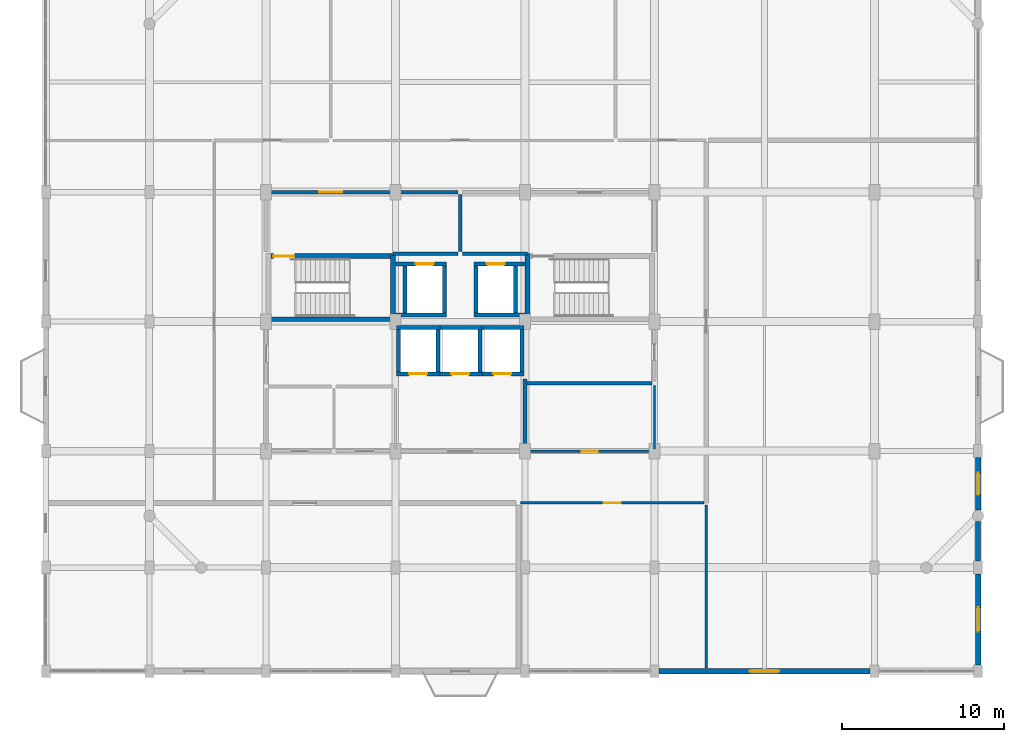
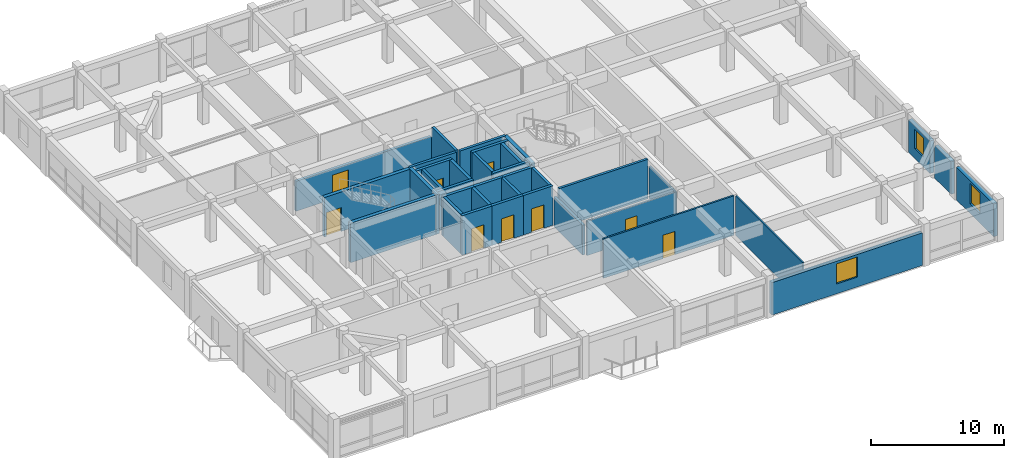
# One storey, part 12 of 15: 36 walls, 9 doors, 3 windows, 12 openings.
"""IFC4 building model written with IfcOpenShell, lengths in metres."""

from ifc_helpers import new_model, si_unit, direction, frame, frame_2d, origin, place, context, subcontext, project, spatial, rectangle, extrude, material, layer, layer_set, type_object, element, fill, save


model = new_model("IFC4")

# Units and contexts
model_context = context("Model", 3, precision=1e-05, world=origin(), true_north=direction((0.0, 1.0)))
body_context = subcontext(model_context, "Body", "Model", "MODEL_VIEW")
ifc_project = project(units=[si_unit("LENGTHUNIT", "METRE"), si_unit("AREAUNIT", "SQUARE_METRE"), si_unit("VOLUMEUNIT", "CUBIC_METRE"), si_unit("PLANEANGLEUNIT", "RADIAN"), si_unit("MASSUNIT", "GRAM", prefix="KILO")], contexts=[model_context])

# Site, building, storey
site_placement = place(None, origin())
site = spatial("IfcSite", under=ifc_project, at=site_placement, CompositionType="ELEMENT")
building_placement = place(site_placement, origin())
building = spatial("IfcBuilding", under=site, at=building_placement, Name="Vellmiral Cinema and Media Centre", CompositionType="ELEMENT")
storey_placement = place(building_placement, frame((0.0, 0.0, 35.60009765625)))
storey = spatial("IfcBuildingStorey", under=building, at=storey_placement, Name="L08", CompositionType="ELEMENT", Elevation=35.60009765625)

# Walls
ifc_material_1 = material(Name="Concrete C40/50", Category="concrete")
ifc_layer_1 = layer(ifc_material_1, 0.2099609375, Name="Concrete C40/50")
ifc_layer_set_1 = layer_set([ifc_layer_1], Name="Concrete C40/50")
wall_type_1 = type_object("IfcWallType", Name="WL-COMP-210", PredefinedType="SOLIDWALL", material=ifc_layer_set_1)
wall_1_placement = place(storey_placement, frame((140.139892578125, 83.39990234375, 0.0), z_axis=(0.0, 0.0, 1.0), x_axis=(1.0, 0.0, 0.0)))
element("IfcWall", 1, at=wall_1_placement, inside=storey, type_object=wall_type_1, Name="Mechanical Smoke Riser Room Wall S", PredefinedType="SOLIDWALL", context=body_context, shape_type="SweptSolid", body=[
    extrude(rectangle(XDim=7.72021484375, YDim=0.2099609375, at=frame_2d((3.860107421875, 0.0))), origin(), (0.0, 0.0, 1.0), 3.619873046875),
])
ifc_material_2 = material(Name="Concrete C40/50", Category="concrete")
ifc_layer_2 = layer(ifc_material_2, 0.300048828125, Name="Concrete C40/50")
ifc_layer_set_2 = layer_set([ifc_layer_2], Name="Concrete C40/50")
wall_type_2 = type_object("IfcWallType", Name="WL-CORE-300", PredefinedType="SHEAR", material=ifc_layer_set_2)
wall_2_placement = place(storey_placement, frame((131.85009765625, 87.199951171875, 0.0), z_axis=(0.0, 0.0, 1.0), x_axis=(0.0, 1.0, 0.0)))
element("IfcWall", 2, at=wall_2_placement, inside=storey, type_object=wall_type_2, Name="Stair Core Wall ST-T1 L08-E", PredefinedType="SHEAR", context=body_context, shape_type="SweptSolid", body=[
    extrude(rectangle(XDim=4.199951171875, YDim=0.300048828125, at=frame_2d((2.10009765625, 0.0))), origin(), (0.0, 0.0, 1.0), 3.619873046875),
])
wall_3_placement = place(storey_placement, frame((124.300048828125, 87.35009765625, 0.0), z_axis=(0.0, 0.0, 1.0), x_axis=(1.0, 0.0, 0.0)))
element("IfcWall", 3, at=wall_3_placement, inside=storey, type_object=wall_type_2, Name="Stair Core Wall ST-T1 L08-S", PredefinedType="SHEAR", context=body_context, shape_type="SweptSolid", body=[
    extrude(rectangle(XDim=7.39990234375, YDim=0.300048828125, at=frame_2d((3.699951171875, 0.0))), origin(), (0.0, 0.0, 1.0), 3.619873046875),
])

# Wall, opening, door
wall_4_placement = place(storey_placement, frame((124.300048828125, 91.25, 0.0), z_axis=(0.0, 0.0, 1.0), x_axis=(1.0, 0.0, 0.0)))
wall_4 = element("IfcWall", 4, at=wall_4_placement, inside=storey, type_object=wall_type_2, Name="Stair Core Wall ST-T1 L08-N", PredefinedType="SHEAR", context=body_context, shape_type="SweptSolid", body=[
    extrude(rectangle(XDim=7.39990234375, YDim=0.300048828125, at=frame_2d((3.699951171875, 0.0))), origin(), (0.0, 0.0, 1.0), 3.619873046875),
])
opening_1_placement = place(wall_4_placement, frame((0.159912109375, 0.0, 0.0)))
opening_1 = element("IfcOpeningElement", 5, at=opening_1_placement, cuts=wall_4, Name="Opening D-FD30A", PredefinedType="OPENING", context=body_context, shape_type="SweptSolid", body=[
    extrude(rectangle(XDim=1.300048828125, YDim=2.179931640625, at=frame_2d((0.64990234375, 1.08984375))), frame((0.0, 0.162109375, 0.0), z_axis=(0.0, -1.0, 0.0), x_axis=(1.0, 0.0, 0.0)), (0.0, 0.0, 1.0), 0.323974609375),
])
ifc_material_3 = material(Name="Steel Stair Fire Door", Category="steel")
door_type_1 = type_object("IfcDoorType", Name="DR-FD30-1300x2180", OperationType="NOTDEFINED", PredefinedType="DOOR", material=ifc_material_3)
door_1_placement = place(opening_1_placement, frame((1.300048828125, 0.0, 0.0), z_axis=(0.0, 0.0, 1.0), x_axis=(-1.0, 0.0, 0.0)))
door_1 = element("IfcDoor", 6, at=door_1_placement, inside=storey, type_object=door_type_1, Name="Protected Stair Door ST-T1 L08", OperationType="SINGLE_SWING_RIGHT", OverallHeight=2.179931640625, OverallWidth=1.300048828125, PredefinedType="DOOR", context=body_context, shape_type="SweptSolid", body=[
    extrude(rectangle(XDim=1.300048828125, YDim=2.179931640625, at=frame_2d((0.64990234375, 1.08984375))), frame((0.0, 0.02490234375, 0.0), z_axis=(0.0, -1.0, 0.0), x_axis=(1.0, 0.0, 0.0)), (0.0, 0.0, 1.0), 0.050048828125),
])
fill(opening_1, door_1)

# Walls
wall_5_placement = place(storey_placement, frame((140.14990234375, 87.199951171875, 0.0), z_axis=(0.0, 0.0, 1.0), x_axis=(0.0, 1.0, 0.0)))
element("IfcWall", 7, at=wall_5_placement, inside=storey, type_object=wall_type_2, Name="Stair Core Wall ST-T2 L08-W", PredefinedType="SHEAR", context=body_context, shape_type="SweptSolid", body=[
    extrude(rectangle(XDim=4.199951171875, YDim=0.300048828125, at=frame_2d((2.10009765625, 0.0))), origin(), (0.0, 0.0, 1.0), 3.619873046875),
])
ifc_material_4 = material(Name="Polychrome Glazed Ceramic Cladding", Category="masonry")
ifc_layer_3 = layer(ifc_material_4, 0.320068359375, Name="Polychrome Glazed Ceramic Cladding")
ifc_layer_set_3 = layer_set([ifc_layer_3], Name="Polychrome Glazed Ceramic Cladding")
wall_type_3 = type_object("IfcWallType", Name="WL-EXT-BRICK-320", PredefinedType="SOLIDWALL", material=ifc_layer_set_3)
wall_6_placement = place(storey_placement, frame((168.0, 72.39990234375, 0.0), z_axis=(0.0, 0.0, 1.0), x_axis=(0.0, 1.0, 0.0)))
element("IfcWall", 8, at=wall_6_placement, inside=storey, type_object=wall_type_3, Name="Exterior Facade Wall L08-009", PredefinedType="SOLIDWALL", context=body_context, shape_type="SweptSolid", body=[
    extrude(rectangle(XDim=2.4501953125, YDim=0.320068359375, at=frame_2d((1.22509765625, 0.0))), origin(), (0.0, 0.0, 1.0), 2.98486328125),
])

# Wall, opening, window
ifc_material_5 = material(Name="Vosges Red Sandstone Masonry", Category="masonry")
ifc_layer_4 = layer(ifc_material_5, 0.340087890625, Name="Vosges Red Sandstone Masonry")
ifc_layer_set_4 = layer_set([ifc_layer_4], Name="Vosges Red Sandstone Masonry")
wall_type_4 = type_object("IfcWallType", Name="WL-EXT-SAND-340", PredefinedType="SOLIDWALL", material=ifc_layer_set_4)
wall_7_placement = place(storey_placement, frame((148.27490234375, 65.60009765625, 0.0), z_axis=(0.0, 0.0, 1.0), x_axis=(1.0, 0.0, 0.0)))
wall_7 = element("IfcWall", 9, at=wall_7_placement, inside=storey, type_object=wall_type_4, Name="Exterior Facade Wall L08-006", PredefinedType="SOLIDWALL", context=body_context, shape_type="SweptSolid", body=[
    extrude(rectangle(XDim=13.050048828125, YDim=0.340087890625, at=frame_2d((6.52490234375, 0.0))), origin(), (0.0, 0.0, 1.0), 2.98486328125),
])
opening_2_placement = place(wall_7_placement, frame((5.625, 0.0, 0.89990234375)))
opening_2 = element("IfcOpeningElement", 10, at=opening_2_placement, cuts=wall_7, Name="Opening WN-04", PredefinedType="OPENING", context=body_context, shape_type="SweptSolid", body=[
    extrude(rectangle(XDim=1.800048828125, YDim=1.85009765625, at=frame_2d((0.89990234375, 0.925048828125))), frame((0.0, 0.18212890625, 0.0), z_axis=(0.0, -1.0, 0.0), x_axis=(1.0, 0.0, 0.0)), (0.0, 0.0, 1.0), 0.364013671875),
])
ifc_material_6 = material(Name="Thermally Broken Aluminium Triple Glazing", Category="aluminium")
window_type_1 = type_object("IfcWindowType", Name="WN-1800x1850", PartitioningType="DOUBLE_PANEL_VERTICAL", PredefinedType="WINDOW", material=ifc_material_6)
window_1_placement = place(opening_2_placement, origin())
window_1 = element("IfcWindow", 11, at=window_1_placement, inside=storey, type_object=window_type_1, Name="Window L08-006", OverallHeight=1.85009765625, OverallWidth=1.800048828125, PartitioningType="DOUBLE_PANEL_VERTICAL", PredefinedType="WINDOW", context=body_context, shape_type="SweptSolid", body=[
    extrude(rectangle(XDim=1.800048828125, YDim=1.85009765625, at=frame_2d((0.89990234375, 0.925048828125))), frame((0.0, 0.030029296875, 0.0), z_axis=(0.0, -1.0, 0.0), x_axis=(1.0, 0.0, 0.0)), (0.0, 0.0, 1.0), 0.06005859375),
])
fill(opening_2, window_1)

wall_8_placement = place(storey_placement, frame((168.0, 66.0, 0.0), z_axis=(0.0, 0.0, 1.0), x_axis=(0.0, 1.0, 0.0)))
wall_8 = element("IfcWall", 12, at=wall_8_placement, inside=storey, type_object=wall_type_4, Name="Exterior Facade Wall L08-008", PredefinedType="SOLIDWALL", context=body_context, shape_type="SweptSolid", body=[
    extrude(rectangle(XDim=5.60009765625, YDim=0.340087890625, at=frame_2d((2.800048828125, 0.0))), origin(), (0.0, 0.0, 1.0), 3.0),
])
opening_3_placement = place(wall_8_placement, frame((2.050048828125, 0.0, 0.89990234375)))
opening_3 = element("IfcOpeningElement", 13, at=opening_3_placement, cuts=wall_8, Name="Opening WN-06", PredefinedType="OPENING", context=body_context, shape_type="SweptSolid", body=[
    extrude(rectangle(XDim=1.5, YDim=1.85009765625, at=frame_2d((0.75, 0.925048828125))), frame((0.0, 0.18212890625, 0.0), z_axis=(0.0, -1.0, 0.0), x_axis=(1.0, 0.0, 0.0)), (0.0, 0.0, 1.0), 0.364013671875),
])
ifc_material_7 = material(Name="Thermally Broken Aluminium Triple Glazing", Category="aluminium")
window_type_2 = type_object("IfcWindowType", Name="WN-1500x1850", PartitioningType="SINGLE_PANEL", PredefinedType="WINDOW", material=ifc_material_7)
window_2_placement = place(opening_3_placement, origin())
window_2 = element("IfcWindow", 14, at=window_2_placement, inside=storey, type_object=window_type_2, Name="Window L08-008", OverallHeight=1.85009765625, OverallWidth=1.5, PartitioningType="SINGLE_PANEL", PredefinedType="WINDOW", context=body_context, shape_type="SweptSolid", body=[
    extrude(rectangle(XDim=1.5, YDim=1.85009765625, at=frame_2d((0.75, 0.925048828125))), frame((0.0, 0.030029296875, 0.0), z_axis=(0.0, -1.0, 0.0), x_axis=(1.0, 0.0, 0.0)), (0.0, 0.0, 1.0), 0.06005859375),
])
fill(opening_3, window_2)

wall_9_placement = place(storey_placement, frame((168.0, 75.550048828125, 0.0), z_axis=(0.0, 0.0, 1.0), x_axis=(0.0, 1.0, 0.0)))
wall_9 = element("IfcWall", 15, at=wall_9_placement, inside=storey, type_object=wall_type_4, Name="Exterior Facade Wall L08-010", PredefinedType="SOLIDWALL", context=body_context, shape_type="SweptSolid", body=[
    extrude(rectangle(XDim=3.25, YDim=0.340087890625, at=frame_2d((1.625, 0.0))), origin(), (0.0, 0.0, 1.0), 2.98486328125),
])
opening_4_placement = place(wall_9_placement, frame((0.949951171875, 0.0, 0.89990234375)))
opening_4 = element("IfcOpeningElement", 16, at=opening_4_placement, cuts=wall_9, Name="Opening WN-08", PredefinedType="OPENING", context=body_context, shape_type="SweptSolid", body=[
    extrude(rectangle(XDim=1.35009765625, YDim=1.75, at=frame_2d((0.675048828125, 0.875))), frame((0.0, 0.18212890625, 0.0), z_axis=(0.0, -1.0, 0.0), x_axis=(1.0, 0.0, 0.0)), (0.0, 0.0, 1.0), 0.364013671875),
])
ifc_material_8 = material(Name="Thermally Broken Aluminium Triple Glazing", Category="aluminium")
window_type_3 = type_object("IfcWindowType", Name="WN-1350x1750", PartitioningType="SINGLE_PANEL", PredefinedType="WINDOW", material=ifc_material_8)
window_3_placement = place(opening_4_placement, origin())
window_3 = element("IfcWindow", 17, at=window_3_placement, inside=storey, type_object=window_type_3, Name="Window L08-010", OverallHeight=1.75, OverallWidth=1.35009765625, PartitioningType="SINGLE_PANEL", PredefinedType="WINDOW", context=body_context, shape_type="SweptSolid", body=[
    extrude(rectangle(XDim=1.35009765625, YDim=1.75, at=frame_2d((0.675048828125, 0.875))), frame((0.0, 0.030029296875, 0.0), z_axis=(0.0, -1.0, 0.0), x_axis=(1.0, 0.0, 0.0)), (0.0, 0.0, 1.0), 0.06005859375),
])
fill(opening_4, window_3)

# Wall
ifc_material_9 = material(Name="Concrete C40/50", Category="concrete")
ifc_layer_5 = layer(ifc_material_9, 0.22998046875, Name="Concrete C40/50")
ifc_layer_set_5 = layer_set([ifc_layer_5], Name="Concrete C40/50")
wall_type_5 = type_object("IfcWallType", Name="WL-FFL-230", PredefinedType="SOLIDWALL", material=ifc_layer_set_5)
wall_10_placement = place(storey_placement, frame((131.840087890625, 91.39990234375, 0.0), z_axis=(0.0, 0.0, 1.0), x_axis=(1.0, 0.0, 0.0)))
element("IfcWall", 18, at=wall_10_placement, inside=storey, type_object=wall_type_5, Name="Firefighting Lobby West Wall S", PredefinedType="SOLIDWALL", context=body_context, shape_type="SweptSolid", body=[
    extrude(rectangle(XDim=4.02001953125, YDim=0.22998046875, at=frame_2d((2.010009765625, 0.0))), origin(), (0.0, 0.0, 1.0), 3.619873046875),
])

# Wall, opening, door
wall_11_placement = place(storey_placement, frame((124.139892578125, 95.199951171875, 0.0), z_axis=(0.0, 0.0, 1.0), x_axis=(1.0, 0.0, 0.0)))
wall_11 = element("IfcWall", 19, at=wall_11_placement, inside=storey, type_object=wall_type_5, Name="Firefighting Lobby West Wall N", PredefinedType="SOLIDWALL", context=body_context, shape_type="SweptSolid", body=[
    extrude(rectangle(XDim=11.72021484375, YDim=0.22998046875, at=frame_2d((5.860107421875, 0.0))), origin(), (0.0, 0.0, 1.0), 2.744873046875),
])
opening_5_placement = place(wall_11_placement, frame((3.159912109375, 0.0, 0.0)))
opening_5 = element("IfcOpeningElement", 20, at=opening_5_placement, cuts=wall_11, Name="Opening D-FD60B", PredefinedType="OPENING", context=body_context, shape_type="SweptSolid", body=[
    extrude(rectangle(XDim=1.39990234375, YDim=2.199951171875, at=frame_2d((0.699951171875, 1.10009765625))), frame((0.0, 0.126953125, 0.0), z_axis=(0.0, -1.0, 0.0), x_axis=(1.0, 0.0, 0.0)), (0.0, 0.0, 1.0), 0.25390625),
])
ifc_material_10 = material(Name="Steel Fire Door", Category="steel")
door_type_2 = type_object("IfcDoorType", Name="DR-FD60-1400x2200", OperationType="NOTDEFINED", PredefinedType="DOOR", material=ifc_material_10)
door_2_placement = place(opening_5_placement, frame((1.39990234375, 0.0, 0.0), z_axis=(0.0, 0.0, 1.0), x_axis=(-1.0, 0.0, 0.0)))
door_2 = element("IfcDoor", 21, at=door_2_placement, inside=storey, type_object=door_type_2, Name="Firefighting Lobby West Door", OperationType="SINGLE_SWING_RIGHT", OverallHeight=2.199951171875, OverallWidth=1.39990234375, PredefinedType="DOOR", context=body_context, shape_type="SweptSolid", body=[
    extrude(rectangle(XDim=1.39990234375, YDim=2.199951171875, at=frame_2d((0.699951171875, 1.10009765625))), frame((0.0, 0.02490234375, 0.0), z_axis=(0.0, -1.0, 0.0), x_axis=(1.0, 0.0, 0.0)), (0.0, 0.0, 1.0), 0.050048828125),
])
fill(opening_5, door_2)

# Walls
wall_12_placement = place(storey_placement, frame((136.0, 91.5400390625, 0.0), z_axis=(0.0, 0.0, 1.0), x_axis=(0.0, 1.0, 0.0)))
element("IfcWall", 22, at=wall_12_placement, inside=storey, type_object=wall_type_5, Name="Firefighting Lobby West Wall E", PredefinedType="SOLIDWALL", context=body_context, shape_type="SweptSolid", body=[
    extrude(rectangle(XDim=3.52001953125, YDim=0.22998046875, at=frame_2d((1.760009765625, 0.0))), origin(), (0.0, 0.0, 1.0), 3.619873046875),
])
wall_13_placement = place(storey_placement, frame((136.139892578125, 91.39990234375, 0.0), z_axis=(0.0, 0.0, 1.0), x_axis=(1.0, 0.0, 0.0)))
element("IfcWall", 23, at=wall_13_placement, inside=storey, type_object=wall_type_5, Name="Firefighting Lobby East Wall S", PredefinedType="SOLIDWALL", context=body_context, shape_type="SweptSolid", body=[
    extrude(rectangle(XDim=4.02001953125, YDim=0.22998046875, at=frame_2d((2.010009765625, 0.0))), origin(), (0.0, 0.0, 1.0), 3.619873046875),
])
wall_14_placement = place(storey_placement, frame((140.0, 79.340087890625, 0.0), z_axis=(0.0, 0.0, 1.0), x_axis=(0.0, 1.0, 0.0)))
element("IfcWall", 24, at=wall_14_placement, inside=storey, type_object=wall_type_5, Name="Tower Passenger Lift Lobby Wall E", PredefinedType="SOLIDWALL", context=body_context, shape_type="SweptSolid", body=[
    extrude(rectangle(XDim=4.31982421875, YDim=0.22998046875, at=frame_2d((2.159912109375, 0.0))), origin(), (0.0, 0.0, 1.0), 2.744873046875),
])
ifc_material_11 = material(Name="Gypsum Plasterboard")
ifc_layer_6 = layer(ifc_material_11, 0.02490234375, Name="Gypsum Plasterboard", Category="gypsum")
ifc_material_12 = material(Name="Mineral Wool Acoustic Insulation", Category="insulation")
ifc_layer_7 = layer(ifc_material_12, 0.080078125, Name="Mineral Wool Acoustic Insulation", Category="insulation")
ifc_layer_8 = layer(ifc_material_11, 0.02490234375, Name="Gypsum Plasterboard", Category="gypsum")
ifc_layer_set_6 = layer_set([ifc_layer_6, ifc_layer_7, ifc_layer_8], Name="Gypsum Plasterboard")
wall_type_6 = type_object("IfcWallType", Name="WL-PART-130", PredefinedType="PARTITIONING", material=ifc_layer_set_6)
wall_15_placement = place(storey_placement, frame((148.0, 79.340087890625, 0.0), z_axis=(0.0, 0.0, 1.0), x_axis=(0.0, 1.0, 0.0)))
element("IfcWall", 25, at=wall_15_placement, inside=storey, type_object=wall_type_6, Name="Cleaner and Media Supply Store Wall E", PredefinedType="PARTITIONING", context=body_context, shape_type="SweptSolid", body=[
    extrude(rectangle(XDim=3.919921875, YDim=0.1298828125, at=frame_2d((1.9599609375, 0.0))), origin(), (0.0, 0.0, 1.0), 2.994873046875),
])
wall_16_placement = place(storey_placement, frame((151.199951171875, 65.784912109375, 0.0), z_axis=(0.0, 0.0, 1.0), x_axis=(0.0, 1.0, 0.0)))
element("IfcWall", 26, at=wall_16_placement, inside=storey, type_object=wall_type_6, Name="Post-Production Review Suite Wall E", PredefinedType="PARTITIONING", context=body_context, shape_type="SweptSolid", body=[
    extrude(rectangle(XDim=10.0751953125, YDim=0.1298828125, at=frame_2d((5.03759765625, 0.0))), origin(), (0.0, 0.0, 1.0), 3.619873046875),
])

# Wall, opening, door
ifc_material_13 = material(Name="Gypsum Plasterboard")
ifc_layer_9 = layer(ifc_material_13, 0.02490234375, Name="Gypsum Plasterboard", Category="gypsum")
ifc_material_14 = material(Name="Mineral Wool Acoustic Insulation", Category="insulation")
ifc_layer_10 = layer(ifc_material_14, 0.10009765625, Name="Mineral Wool Acoustic Insulation", Category="insulation")
ifc_layer_11 = layer(ifc_material_13, 0.02490234375, Name="Gypsum Plasterboard", Category="gypsum")
ifc_layer_set_7 = layer_set([ifc_layer_9, ifc_layer_10, ifc_layer_11], Name="Gypsum Plasterboard")
wall_type_7 = type_object("IfcWallType", Name="WL-PART-150", PredefinedType="PARTITIONING", material=ifc_layer_set_7)
wall_17_placement = place(storey_placement, frame((140.139892578125, 79.199951171875, 0.0), z_axis=(0.0, 0.0, 1.0), x_axis=(1.0, 0.0, 0.0)))
wall_17 = element("IfcWall", 27, at=wall_17_placement, inside=storey, type_object=wall_type_7, Name="Cleaner and Media Supply Store Wall S", PredefinedType="PARTITIONING", context=body_context, shape_type="SweptSolid", body=[
    extrude(rectangle(XDim=7.72021484375, YDim=0.14990234375, at=frame_2d((3.860107421875, 0.0))), origin(), (0.0, 0.0, 1.0), 3.14501953125),
])
opening_6_placement = place(wall_17_placement, frame((3.360107421875, 0.0, 0.0)))
opening_6 = element("IfcOpeningElement", 28, at=opening_6_placement, cuts=wall_17, Name="Opening D-I08", PredefinedType="OPENING", context=body_context, shape_type="SweptSolid", body=[
    extrude(rectangle(XDim=1.0, YDim=2.14990234375, at=frame_2d((0.5, 1.074951171875))), frame((0.0, 0.0869140625, 0.0), z_axis=(0.0, -1.0, 0.0), x_axis=(1.0, 0.0, 0.0)), (0.0, 0.0, 1.0), 0.173828125),
])
ifc_material_15 = material(Name="Laminated Timber Door", Category="wood")
door_type_3 = type_object("IfcDoorType", Name="DR-INT-1000x2150", OperationType="NOTDEFINED", PredefinedType="DOOR", material=ifc_material_15)
door_3_placement = place(opening_6_placement, origin())
door_3 = element("IfcDoor", 29, at=door_3_placement, inside=storey, type_object=door_type_3, Name="Cleaner and Media Supply Store Door", OperationType="SINGLE_SWING_RIGHT", OverallHeight=2.14990234375, OverallWidth=1.0, PredefinedType="DOOR", context=body_context, shape_type="SweptSolid", body=[
    extrude(rectangle(XDim=1.0, YDim=2.14990234375, at=frame_2d((0.5, 1.074951171875))), frame((0.0, 0.02490234375, 0.0), z_axis=(0.0, -1.0, 0.0), x_axis=(1.0, 0.0, 0.0)), (0.0, 0.0, 1.0), 0.050048828125),
])
fill(opening_6, door_3)

wall_18_placement = place(storey_placement, frame((139.739990234375, 76.0, 0.0), z_axis=(0.0, 0.0, 1.0), x_axis=(1.0, 0.0, 0.0)))
wall_18 = element("IfcWall", 30, at=wall_18_placement, inside=storey, type_object=wall_type_7, Name="Post-Production Review Suite Wall N", PredefinedType="PARTITIONING", context=body_context, shape_type="SweptSolid", body=[
    extrude(rectangle(XDim=11.320068359375, YDim=0.14990234375, at=frame_2d((5.66015625, 0.0))), origin(), (0.0, 0.0, 1.0), 3.619873046875),
])
opening_7_placement = place(wall_18_placement, frame((5.135009765625, 0.0, 0.0)))
opening_7 = element("IfcOpeningElement", 31, at=opening_7_placement, cuts=wall_18, Name="Opening D-I07", PredefinedType="OPENING", context=body_context, shape_type="SweptSolid", body=[
    extrude(rectangle(XDim=1.050048828125, YDim=2.14990234375, at=frame_2d((0.52490234375, 1.074951171875))), frame((0.0, 0.0869140625, 0.0), z_axis=(0.0, -1.0, 0.0), x_axis=(1.0, 0.0, 0.0)), (0.0, 0.0, 1.0), 0.173828125),
])
ifc_material_16 = material(Name="Laminated Timber Door", Category="wood")
door_type_4 = type_object("IfcDoorType", Name="DR-INT-1050x2150", OperationType="NOTDEFINED", PredefinedType="DOOR", material=ifc_material_16)
door_4_placement = place(opening_7_placement, frame((1.050048828125, 0.0, 0.0), z_axis=(0.0, 0.0, 1.0), x_axis=(-1.0, 0.0, 0.0)))
door_4 = element("IfcDoor", 32, at=door_4_placement, inside=storey, type_object=door_type_4, Name="Post-Production Review Suite Door", OperationType="SINGLE_SWING_RIGHT", OverallHeight=2.14990234375, OverallWidth=1.050048828125, PredefinedType="DOOR", context=body_context, shape_type="SweptSolid", body=[
    extrude(rectangle(XDim=1.050048828125, YDim=2.14990234375, at=frame_2d((0.52490234375, 1.074951171875))), frame((0.0, 0.02490234375, 0.0), z_axis=(0.0, -1.0, 0.0), x_axis=(1.0, 0.0, 0.0)), (0.0, 0.0, 1.0), 0.050048828125),
])
fill(opening_7, door_4)

# Wall
ifc_material_17 = material(Name="Concrete C40/50", Category="concrete")
ifc_layer_12 = layer(ifc_material_17, 0.25, Name="Concrete C40/50")
ifc_layer_set_8 = layer_set([ifc_layer_12], Name="Concrete C40/50")
wall_type_8 = type_object("IfcWallType", Name="WL-SHAFT-250", PredefinedType="SHEAR", material=ifc_layer_set_8)
wall_19_placement = place(storey_placement, frame((132.0, 87.625, 0.0), z_axis=(0.0, 0.0, 1.0), x_axis=(1.0, 0.0, 0.0)))
element("IfcWall", 33, at=wall_19_placement, inside=storey, type_object=wall_type_8, Name="Lift Shaft Wall LF-FF1 L08-S", PredefinedType="SHEAR", context=body_context, shape_type="SweptSolid", body=[
    extrude(rectangle(XDim=3.14990234375, YDim=0.25, at=frame_2d((1.574951171875, 0.0))), origin(), (0.0, 0.0, 1.0), 3.619873046875),
])

# Wall, opening, door
wall_20_placement = place(storey_placement, frame((132.0, 90.77490234375, 0.0), z_axis=(0.0, 0.0, 1.0), x_axis=(1.0, 0.0, 0.0)))
wall_20 = element("IfcWall", 34, at=wall_20_placement, inside=storey, type_object=wall_type_8, Name="Lift Shaft Wall LF-FF1 L08-N", PredefinedType="SHEAR", context=body_context, shape_type="SweptSolid", body=[
    extrude(rectangle(XDim=3.14990234375, YDim=0.25, at=frame_2d((1.574951171875, 0.0))), origin(), (0.0, 0.0, 1.0), 3.619873046875),
])
opening_8_placement = place(wall_20_placement, frame((1.25, 0.0, 0.0)))
opening_8 = element("IfcOpeningElement", 35, at=opening_8_placement, cuts=wall_20, Name="Opening LD-01", PredefinedType="OPENING", context=body_context, shape_type="SweptSolid", body=[
    extrude(rectangle(XDim=1.10009765625, YDim=2.14990234375, at=frame_2d((0.550048828125, 1.074951171875))), frame((0.0, 0.136962890625, 0.0), z_axis=(0.0, -1.0, 0.0), x_axis=(1.0, 0.0, 0.0)), (0.0, 0.0, 1.0), 0.27392578125),
])
ifc_material_18 = material(Name="Stainless Steel Lift Landing Door", Category="steel")
door_type_5 = type_object("IfcDoorType", Name="DR-LIFT-1100x2150", OperationType="SLIDING_TO_LEFT", PredefinedType="DOOR", material=ifc_material_18)
door_5_placement = place(opening_8_placement, origin())
door_5 = element("IfcDoor", 36, at=door_5_placement, inside=storey, type_object=door_type_5, Name="Lift Landing Door LF-FF1 L08", OperationType="SLIDING_TO_LEFT", OverallHeight=2.14990234375, OverallWidth=1.10009765625, PredefinedType="DOOR", context=body_context, shape_type="SweptSolid", body=[
    extrude(rectangle(XDim=1.10009765625, YDim=2.14990234375, at=frame_2d((0.550048828125, 1.074951171875))), frame((0.0, 0.02490234375, 0.0), z_axis=(0.0, -1.0, 0.0), x_axis=(1.0, 0.0, 0.0)), (0.0, 0.0, 1.0), 0.050048828125),
])
fill(opening_8, door_5)

# Walls
for number, where, z_axis, x_axis, name in (
    (37, (132.574951171875, 87.75, 0.0), (0.0, 0.0, 1.0), (0.0, 1.0, 0.0), "Lift Shaft Wall LF-FF1 L08-W"),
    (38, (135.02490234375, 87.75, 0.0), (0.0, 0.0, 1.0), (0.0, 1.0, 0.0), "Lift Shaft Wall LF-FF1 L08-E"),
):
    element("IfcWall", number, at=place(storey_placement, frame(where, z_axis=z_axis, x_axis=x_axis)), inside=storey, type_object=wall_type_8, Name=name, PredefinedType="SHEAR", context=body_context, shape_type="SweptSolid", body=[
        extrude(rectangle(XDim=2.89990234375, YDim=0.25, at=frame_2d((1.449951171875, 0.0))), origin(), (0.0, 0.0, 1.0), 3.619873046875),
    ])
wall_21_placement = place(storey_placement, frame((136.85009765625, 87.625, 0.0), z_axis=(0.0, 0.0, 1.0), x_axis=(1.0, 0.0, 0.0)))
element("IfcWall", 39, at=wall_21_placement, inside=storey, type_object=wall_type_8, Name="Lift Shaft Wall LF-FF2 L08-S", PredefinedType="SHEAR", context=body_context, shape_type="SweptSolid", body=[
    extrude(rectangle(XDim=3.14990234375, YDim=0.25, at=frame_2d((1.574951171875, 0.0))), origin(), (0.0, 0.0, 1.0), 3.619873046875),
])

# Wall, opening, door
wall_22_placement = place(storey_placement, frame((136.85009765625, 90.77490234375, 0.0), z_axis=(0.0, 0.0, 1.0), x_axis=(1.0, 0.0, 0.0)))
wall_22 = element("IfcWall", 40, at=wall_22_placement, inside=storey, type_object=wall_type_8, Name="Lift Shaft Wall LF-FF2 L08-N", PredefinedType="SHEAR", context=body_context, shape_type="SweptSolid", body=[
    extrude(rectangle(XDim=3.14990234375, YDim=0.25, at=frame_2d((1.574951171875, 0.0))), origin(), (0.0, 0.0, 1.0), 3.619873046875),
])
opening_9_placement = place(wall_22_placement, frame((0.800048828125, 0.0, 0.0)))
opening_9 = element("IfcOpeningElement", 41, at=opening_9_placement, cuts=wall_22, Name="Opening LD-01", PredefinedType="OPENING", context=body_context, shape_type="SweptSolid", body=[
    extrude(rectangle(XDim=1.10009765625, YDim=2.14990234375, at=frame_2d((0.550048828125, 1.074951171875))), frame((0.0, 0.136962890625, 0.0), z_axis=(0.0, -1.0, 0.0), x_axis=(1.0, 0.0, 0.0)), (0.0, 0.0, 1.0), 0.27392578125),
])
door_6_placement = place(opening_9_placement, origin())
door_6 = element("IfcDoor", 42, at=door_6_placement, inside=storey, type_object=door_type_5, Name="Lift Landing Door LF-FF2 L08", OperationType="SLIDING_TO_LEFT", OverallHeight=2.14990234375, OverallWidth=1.10009765625, PredefinedType="DOOR", context=body_context, shape_type="SweptSolid", body=[
    extrude(rectangle(XDim=1.10009765625, YDim=2.14990234375, at=frame_2d((0.550048828125, 1.074951171875))), frame((0.0, 0.02490234375, 0.0), z_axis=(0.0, -1.0, 0.0), x_axis=(1.0, 0.0, 0.0)), (0.0, 0.0, 1.0), 0.050048828125),
])
fill(opening_9, door_6)

# Walls
for number, where, z_axis, x_axis, name in (
    (43, (136.97509765625, 87.75, 0.0), (0.0, 0.0, 1.0), (0.0, 1.0, 0.0), "Lift Shaft Wall LF-FF2 L08-W"),
    (44, (139.425048828125, 87.75, 0.0), (0.0, 0.0, 1.0), (0.0, 1.0, 0.0), "Lift Shaft Wall LF-FF2 L08-E"),
):
    element("IfcWall", number, at=place(storey_placement, frame(where, z_axis=z_axis, x_axis=x_axis)), inside=storey, type_object=wall_type_8, Name=name, PredefinedType="SHEAR", context=body_context, shape_type="SweptSolid", body=[
        extrude(rectangle(XDim=2.89990234375, YDim=0.25, at=frame_2d((1.449951171875, 0.0))), origin(), (0.0, 0.0, 1.0), 3.619873046875),
    ])

# Wall, opening, door
wall_23_placement = place(storey_placement, frame((132.050048828125, 83.97509765625, 0.0), z_axis=(0.0, 0.0, 1.0), x_axis=(1.0, 0.0, 0.0)))
wall_23 = element("IfcWall", 45, at=wall_23_placement, inside=storey, type_object=wall_type_8, Name="Lift Shaft Wall LF-P1 L08-S", PredefinedType="SHEAR", context=body_context, shape_type="SweptSolid", body=[
    extrude(rectangle(XDim=2.699951171875, YDim=0.25, at=frame_2d((1.35009765625, 0.0))), origin(), (0.0, 0.0, 1.0), 3.619873046875),
])
opening_10_placement = place(wall_23_placement, frame((0.800048828125, 0.0, 0.0)))
opening_10 = element("IfcOpeningElement", 46, at=opening_10_placement, cuts=wall_23, Name="Opening LD-01", PredefinedType="OPENING", context=body_context, shape_type="SweptSolid", body=[
    extrude(rectangle(XDim=1.10009765625, YDim=2.14990234375, at=frame_2d((0.550048828125, 1.074951171875))), frame((0.0, 0.136962890625, 0.0), z_axis=(0.0, -1.0, 0.0), x_axis=(1.0, 0.0, 0.0)), (0.0, 0.0, 1.0), 0.27392578125),
])
door_7_placement = place(opening_10_placement, origin())
door_7 = element("IfcDoor", 47, at=door_7_placement, inside=storey, type_object=door_type_5, Name="Lift Landing Door LF-P1 L08", OperationType="SLIDING_TO_LEFT", OverallHeight=2.14990234375, OverallWidth=1.10009765625, PredefinedType="DOOR", context=body_context, shape_type="SweptSolid", body=[
    extrude(rectangle(XDim=1.10009765625, YDim=2.14990234375, at=frame_2d((0.550048828125, 1.074951171875))), frame((0.0, 0.02490234375, 0.0), z_axis=(0.0, -1.0, 0.0), x_axis=(1.0, 0.0, 0.0)), (0.0, 0.0, 1.0), 0.050048828125),
])
fill(opening_10, door_7)

# Walls
wall_24_placement = place(storey_placement, frame((132.050048828125, 86.824951171875, 0.0), z_axis=(0.0, 0.0, 1.0), x_axis=(1.0, 0.0, 0.0)))
element("IfcWall", 48, at=wall_24_placement, inside=storey, type_object=wall_type_8, Name="Lift Shaft Wall LF-P1 L08-N", PredefinedType="SHEAR", context=body_context, shape_type="SweptSolid", body=[
    extrude(rectangle(XDim=2.699951171875, YDim=0.25, at=frame_2d((1.35009765625, 0.0))), origin(), (0.0, 0.0, 1.0), 3.619873046875),
])
for number, where, z_axis, x_axis, name in (
    (49, (132.175048828125, 84.10009765625, 0.0), (0.0, 0.0, 1.0), (0.0, 1.0, 0.0), "Lift Shaft Wall LF-P1 L08-W"),
    (50, (134.625, 84.10009765625, 0.0), (0.0, 0.0, 1.0), (0.0, 1.0, 0.0), "Lift Shaft Wall LF-P1 L08-E"),
):
    element("IfcWall", number, at=place(storey_placement, frame(where, z_axis=z_axis, x_axis=x_axis)), inside=storey, type_object=wall_type_8, Name=name, PredefinedType="SHEAR", context=body_context, shape_type="SweptSolid", body=[
        extrude(rectangle(XDim=2.599853515625, YDim=0.25, at=frame_2d((1.2998046875, 0.0))), origin(), (0.0, 0.0, 1.0), 3.619873046875),
    ])

# Wall, opening, door
wall_25_placement = place(storey_placement, frame((134.64990234375, 83.97509765625, 0.0), z_axis=(0.0, 0.0, 1.0), x_axis=(1.0, 0.0, 0.0)))
wall_25 = element("IfcWall", 51, at=wall_25_placement, inside=storey, type_object=wall_type_8, Name="Lift Shaft Wall LF-P2 L08-S", PredefinedType="SHEAR", context=body_context, shape_type="SweptSolid", body=[
    extrude(rectangle(XDim=2.7001953125, YDim=0.25, at=frame_2d((1.35009765625, 0.0))), origin(), (0.0, 0.0, 1.0), 3.619873046875),
])
opening_11_placement = place(wall_25_placement, frame((0.800048828125, 0.0, 0.0)))
opening_11 = element("IfcOpeningElement", 52, at=opening_11_placement, cuts=wall_25, Name="Opening LD-01", PredefinedType="OPENING", context=body_context, shape_type="SweptSolid", body=[
    extrude(rectangle(XDim=1.10009765625, YDim=2.14990234375, at=frame_2d((0.550048828125, 1.074951171875))), frame((0.0, 0.136962890625, 0.0), z_axis=(0.0, -1.0, 0.0), x_axis=(1.0, 0.0, 0.0)), (0.0, 0.0, 1.0), 0.27392578125),
])
door_8_placement = place(opening_11_placement, origin())
door_8 = element("IfcDoor", 53, at=door_8_placement, inside=storey, type_object=door_type_5, Name="Lift Landing Door LF-P2 L08", OperationType="SLIDING_TO_LEFT", OverallHeight=2.14990234375, OverallWidth=1.10009765625, PredefinedType="DOOR", context=body_context, shape_type="SweptSolid", body=[
    extrude(rectangle(XDim=1.10009765625, YDim=2.14990234375, at=frame_2d((0.550048828125, 1.074951171875))), frame((0.0, 0.02490234375, 0.0), z_axis=(0.0, -1.0, 0.0), x_axis=(1.0, 0.0, 0.0)), (0.0, 0.0, 1.0), 0.050048828125),
])
fill(opening_11, door_8)

# Walls
wall_26_placement = place(storey_placement, frame((134.64990234375, 86.824951171875, 0.0), z_axis=(0.0, 0.0, 1.0), x_axis=(1.0, 0.0, 0.0)))
element("IfcWall", 54, at=wall_26_placement, inside=storey, type_object=wall_type_8, Name="Lift Shaft Wall LF-P2 L08-N", PredefinedType="SHEAR", context=body_context, shape_type="SweptSolid", body=[
    extrude(rectangle(XDim=2.7001953125, YDim=0.25, at=frame_2d((1.35009765625, 0.0))), origin(), (0.0, 0.0, 1.0), 3.619873046875),
])
wall_27_placement = place(storey_placement, frame((137.22509765625, 84.10009765625, 0.0), z_axis=(0.0, 0.0, 1.0), x_axis=(0.0, 1.0, 0.0)))
element("IfcWall", 55, at=wall_27_placement, inside=storey, type_object=wall_type_8, Name="Lift Shaft Wall LF-P2 L08-E", PredefinedType="SHEAR", context=body_context, shape_type="SweptSolid", body=[
    extrude(rectangle(XDim=2.599853515625, YDim=0.25, at=frame_2d((1.2998046875, 0.0))), origin(), (0.0, 0.0, 1.0), 3.619873046875),
])

# Wall, opening, door
wall_28_placement = place(storey_placement, frame((137.25, 83.97509765625, 0.0), z_axis=(0.0, 0.0, 1.0), x_axis=(1.0, 0.0, 0.0)))
wall_28 = element("IfcWall", 56, at=wall_28_placement, inside=storey, type_object=wall_type_8, Name="Lift Shaft Wall LF-P3 L08-S", PredefinedType="SHEAR", context=body_context, shape_type="SweptSolid", body=[
    extrude(rectangle(XDim=2.699951171875, YDim=0.25, at=frame_2d((1.35009765625, 0.0))), origin(), (0.0, 0.0, 1.0), 3.619873046875),
])
opening_12_placement = place(wall_28_placement, frame((0.800048828125, 0.0, 0.0)))
opening_12 = element("IfcOpeningElement", 57, at=opening_12_placement, cuts=wall_28, Name="Opening LD-01", PredefinedType="OPENING", context=body_context, shape_type="SweptSolid", body=[
    extrude(rectangle(XDim=1.10009765625, YDim=2.14990234375, at=frame_2d((0.550048828125, 1.074951171875))), frame((0.0, 0.136962890625, 0.0), z_axis=(0.0, -1.0, 0.0), x_axis=(1.0, 0.0, 0.0)), (0.0, 0.0, 1.0), 0.27392578125),
])
door_9_placement = place(opening_12_placement, origin())
door_9 = element("IfcDoor", 58, at=door_9_placement, inside=storey, type_object=door_type_5, Name="Lift Landing Door LF-P3 L08", OperationType="SLIDING_TO_LEFT", OverallHeight=2.14990234375, OverallWidth=1.10009765625, PredefinedType="DOOR", context=body_context, shape_type="SweptSolid", body=[
    extrude(rectangle(XDim=1.10009765625, YDim=2.14990234375, at=frame_2d((0.550048828125, 1.074951171875))), frame((0.0, 0.02490234375, 0.0), z_axis=(0.0, -1.0, 0.0), x_axis=(1.0, 0.0, 0.0)), (0.0, 0.0, 1.0), 0.050048828125),
])
fill(opening_12, door_9)

# Walls
wall_29_placement = place(storey_placement, frame((137.25, 86.824951171875, 0.0), z_axis=(0.0, 0.0, 1.0), x_axis=(1.0, 0.0, 0.0)))
element("IfcWall", 59, at=wall_29_placement, inside=storey, type_object=wall_type_8, Name="Lift Shaft Wall LF-P3 L08-N", PredefinedType="SHEAR", context=body_context, shape_type="SweptSolid", body=[
    extrude(rectangle(XDim=2.699951171875, YDim=0.25, at=frame_2d((1.35009765625, 0.0))), origin(), (0.0, 0.0, 1.0), 3.619873046875),
])
wall_30_placement = place(storey_placement, frame((139.824951171875, 84.10009765625, 0.0), z_axis=(0.0, 0.0, 1.0), x_axis=(0.0, 1.0, 0.0)))
element("IfcWall", 60, at=wall_30_placement, inside=storey, type_object=wall_type_8, Name="Lift Shaft Wall LF-P3 L08-E", PredefinedType="SHEAR", context=body_context, shape_type="SweptSolid", body=[
    extrude(rectangle(XDim=2.599853515625, YDim=0.25, at=frame_2d((1.2998046875, 0.0))), origin(), (0.0, 0.0, 1.0), 3.619873046875),
])

save(model, "model.ifc")
